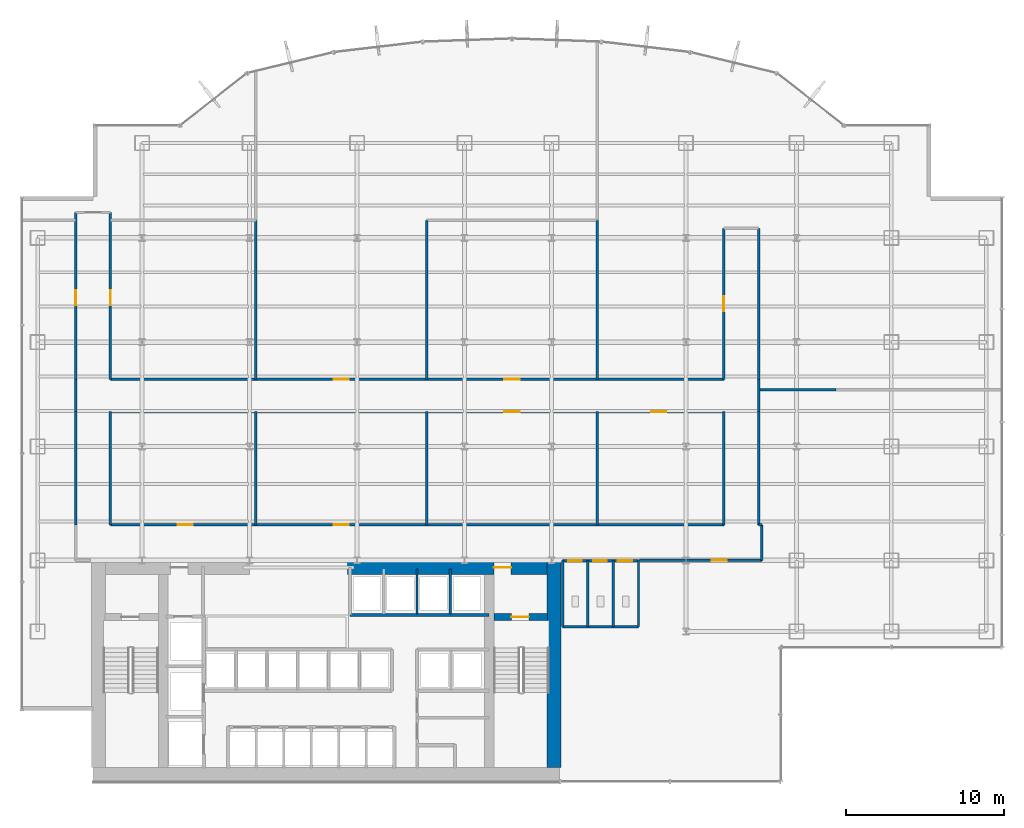
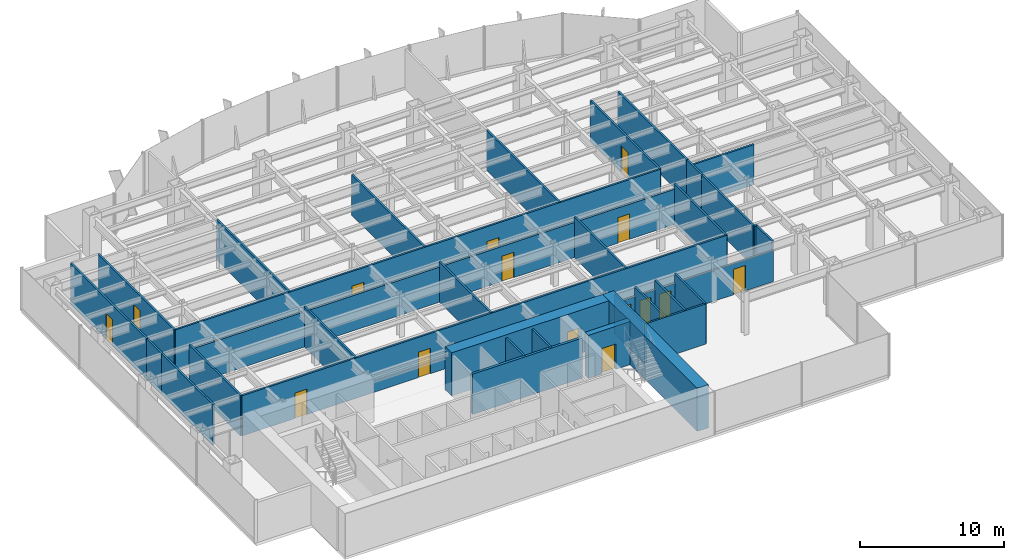
# One storey, part 18 of 22: 35 walls, 15 doors, 15 openings.
"""IFC4 building model written with IfcOpenShell, lengths in metres."""

from ifc_helpers import new_model, si_unit, derived_unit, direction, frame, frame_2d, origin, place, context, subcontext, project, spatial, rectangle, extrude, source, transform, mapped, material, layer, layer_set, type_object, element, fill, save


model = new_model("IFC4")

# Units and contexts
model_context = context("Model", 3, precision=1e-05, world=origin(), true_north=direction((0.0, 1.0)))
body_context = subcontext(model_context, "Body", "Model", "MODEL_VIEW")
ifc_project = project(units=[si_unit("LENGTHUNIT", "METRE"), si_unit("AREAUNIT", "SQUARE_METRE"), si_unit("VOLUMEUNIT", "CUBIC_METRE"), si_unit("PLANEANGLEUNIT", "RADIAN"), si_unit("MASSUNIT", "GRAM", prefix="KILO"), derived_unit("THERMALTRANSMITTANCEUNIT", [(si_unit("POWERUNIT", "WATT"), 1), (si_unit("LENGTHUNIT", "METRE"), -2), (si_unit("THERMODYNAMICTEMPERATUREUNIT", "KELVIN"), -1)])], contexts=[model_context])

# Site, building, storey
site_placement = place(None, origin())
site = spatial("IfcSite", under=ifc_project, at=site_placement, CompositionType="ELEMENT")
building_placement = place(site_placement, origin())
building = spatial("IfcBuilding", under=site, at=building_placement, Name="Skarnbrae Concourse Arena and Tower", CompositionType="ELEMENT")
storey_placement = place(building_placement, frame((0.0, 0.0, 69.0)))
storey = spatial("IfcBuildingStorey", under=building, at=storey_placement, Name="L16", CompositionType="ELEMENT", Elevation=69.0)

# Wall
ifc_material_1 = material(Name="Concrete 70 MPa (C70/85)", Category="concrete")
ifc_layer_1 = layer(ifc_material_1, 0.89990234375)
ifc_layer_set_1 = layer_set([ifc_layer_1], Name="Concrete 70 MPa (C70/85)")
wall_type_1 = type_object("IfcWallType", Name="WALL-CORE-900-C70", PredefinedType="SHEAR", material=ifc_layer_set_1)
shared_shape_1 = source(origin(), body_context, "Body", "SweptSolid", [
    extrude(rectangle(XDim=13.10009765625, YDim=0.89990234375, at=frame_2d((6.550048828125, 0.0))), origin(), (0.0, 0.0, 1.0), 3.64990234375),
])
wall_1_placement = place(storey_placement, frame((33.64990234375, 0.89990234375, 0.0), z_axis=(0.0, 0.0, 1.0), x_axis=(0.0, 1.0, 0.0)))
element("IfcWall", 1, at=wall_1_placement, inside=storey, type_object=wall_type_1, Name="L16 Rear core shear wall CW-E", PredefinedType="SHEAR", context=body_context, shape_type="MappedRepresentation", body=[
    mapped(shared_shape_1, transform((0.0, 0.0, 0.0))),
])

# Wall, opening, door
shared_shape_2 = source(origin(), body_context, "Body", "SweptSolid", [
    extrude(rectangle(XDim=12.599853515625, YDim=0.89990234375, at=frame_2d((6.2998046875, 0.0))), origin(), (0.0, 0.0, 1.0), 3.64990234375),
])
wall_2_placement = place(storey_placement, frame((20.60009765625, 13.550048828125, 0.0), z_axis=(0.0, 0.0, 1.0), x_axis=(1.0, 0.0, 0.0)))
wall_2 = element("IfcWall", 2, at=wall_2_placement, inside=storey, type_object=wall_type_1, Name="L16 Rear core shear wall CW-NE", PredefinedType="SHEAR", context=body_context, shape_type="MappedRepresentation", body=[
    mapped(shared_shape_2, transform((0.0, 0.0, 0.0))),
])
opening_1_placement = place(wall_2_placement, frame((9.25, 0.0, 0.0)))
opening_1 = element("IfcOpeningElement", 3, at=opening_1_placement, cuts=wall_2, Name="Opening DT-03", PredefinedType="OPENING", context=body_context, shape_type="SweptSolid", body=[
    extrude(rectangle(XDim=1.10009765625, YDim=2.14990234375, at=frame_2d((0.550048828125, 1.074951171875))), frame((0.0, 0.4599609375, 0.0), z_axis=(0.0, -1.0, 0.0), x_axis=(1.0, 0.0, 0.0)), (0.0, 0.0, 1.0), 0.919921875),
])
ifc_material_2 = material(Name="Steel CSA G40.21 350W", Category="steel")
door_type_1 = type_object("IfcDoorType", Name="DOOR-FIRE-1100-90M", OperationType="NOTDEFINED", PredefinedType="DOOR", material=ifc_material_2)
shared_shape_3 = source(origin(), body_context, "Body", "SweptSolid", [
    extrude(rectangle(XDim=1.10009765625, YDim=2.14990234375, at=frame_2d((0.550048828125, 1.074951171875))), frame((0.0, 0.02490234375, 0.0), z_axis=(0.0, -1.0, 0.0), x_axis=(1.0, 0.0, 0.0)), (0.0, 0.0, 1.0), 0.050048828125),
])
door_1_placement = place(opening_1_placement, origin())
door_1 = element("IfcDoor", 4, at=door_1_placement, inside=storey, type_object=door_type_1, Name="D-0605 Stair ST-2 Vestibule Door", OperationType="SINGLE_SWING_LEFT", OverallHeight=2.14990234375, OverallWidth=1.10009765625, PredefinedType="DOOR", context=body_context, shape_type="MappedRepresentation", body=[
    mapped(shared_shape_3, transform((0.0, 0.0, 0.0))),
])
fill(opening_1, door_1)

ifc_material_3 = material(Name="Concrete 50 MPa (C50/60)", Category="concrete")
ifc_layer_2 = layer(ifc_material_3, 0.449951171875)
ifc_layer_set_2 = layer_set([ifc_layer_2], Name="Concrete 50 MPa (C50/60)")
wall_type_2 = type_object("IfcWallType", Name="WALL-CORE-450-C50", PredefinedType="SHEAR", material=ifc_layer_set_2)
shared_shape_4 = source(origin(), body_context, "Body", "SweptSolid", [
    extrude(rectangle(XDim=3.389892578125, YDim=0.449951171875, at=frame_2d((1.69482421875, 0.0))), origin(), (0.0, 0.0, 1.0), 3.64990234375),
])
wall_3_placement = place(storey_placement, frame((29.860107421875, 10.419921875, 0.0), z_axis=(0.0, 0.0, 1.0), x_axis=(1.0, 0.0, 0.0)))
wall_3 = element("IfcWall", 5, at=wall_3_placement, inside=storey, type_object=wall_type_2, Name="L16 Rear core shear wall CW-ST2-N", PredefinedType="SHEAR", context=body_context, shape_type="MappedRepresentation", body=[
    mapped(shared_shape_4, transform((0.0, 0.0, 0.0))),
])
opening_2_placement = place(wall_3_placement, frame((1.10009765625, 0.0, 0.0)))
opening_2 = element("IfcOpeningElement", 6, at=opening_2_placement, cuts=wall_3, Name="Opening DT-03", PredefinedType="OPENING", context=body_context, shape_type="SweptSolid", body=[
    extrude(rectangle(XDim=1.10009765625, YDim=2.14990234375, at=frame_2d((0.550048828125, 1.074951171875))), frame((0.0, 0.23486328125, 0.0), z_axis=(0.0, -1.0, 0.0), x_axis=(1.0, 0.0, 0.0)), (0.0, 0.0, 1.0), 0.469970703125),
])
door_2_placement = place(opening_2_placement, frame((1.10009765625, 0.0, 0.0), z_axis=(0.0, 0.0, 1.0), x_axis=(-1.0, 0.0, 0.0)))
door_2 = element("IfcDoor", 7, at=door_2_placement, inside=storey, type_object=door_type_1, Name="D-0603 Stair ST-2 Door", OperationType="SINGLE_SWING_RIGHT", OverallHeight=2.14990234375, OverallWidth=1.10009765625, PredefinedType="DOOR", context=body_context, shape_type="MappedRepresentation", body=[
    mapped(shared_shape_3, transform((0.0, 0.0, 0.0))),
])
fill(opening_2, door_2)

# Walls
ifc_material_4 = material(Name="Gypsum board on cold-formed steel studs", Category="steel")
ifc_layer_3 = layer(ifc_material_4, 0.199951171875)
ifc_layer_set_3 = layer_set([ifc_layer_3], Name="Gypsum board on cold-formed steel studs")
wall_type_3 = type_object("IfcWallType", Name="WALL-PART-200-2HR", PredefinedType="PARTITIONING", material=ifc_layer_set_3)
shared_shape_5 = source(origin(), body_context, "Body", "SweptSolid", [
    extrude(rectangle(XDim=8.800048828125, YDim=0.199951171875, at=frame_2d((4.39990234375, 0.0))), origin(), (0.0, 0.0, 1.0), 3.39990234375),
])
wall_4_placement = place(storey_placement, frame((20.75, 10.550048828125, 0.0), z_axis=(0.0, 0.0, 1.0), x_axis=(1.0, 0.0, 0.0)))
element("IfcWall", 8, at=wall_4_placement, inside=storey, type_object=wall_type_3, Name="L16 Interior partition wall W-L16-B3N-S", PredefinedType="PARTITIONING", context=body_context, shape_type="MappedRepresentation", body=[
    mapped(shared_shape_5, transform((0.0, 0.0, 0.0))),
])
ifc_layer_4 = layer(ifc_material_4, 0.14990234375)
ifc_layer_set_4 = layer_set([ifc_layer_4], Name="Gypsum board on cold-formed steel studs")
wall_type_4 = type_object("IfcWallType", Name="WALL-PART-150", PredefinedType="PARTITIONING", material=ifc_layer_set_4)
shared_shape_6 = source(origin(), body_context, "Body", "SweptSolid", [
    extrude(rectangle(XDim=2.849853515625, YDim=0.14990234375, at=frame_2d((1.4248046875, 0.0))), origin(), (0.0, 0.0, 1.0), 3.39990234375),
])
for number, where, z_axis, x_axis, name in (
    (9, (24.989990234375, 10.60009765625, 0.0), (0.0, 0.0, 1.0), (0.0, 1.0, 0.0), "L16 Interior partition wall W-L16-B3N-P2"),
    (10, (27.090087890625, 10.60009765625, 0.0), (0.0, 0.0, 1.0), (0.0, 1.0, 0.0), "L16 Interior partition wall W-L16-B3N-P3"),
):
    element("IfcWall", number, at=place(storey_placement, frame(where, z_axis=z_axis, x_axis=x_axis)), inside=storey, type_object=wall_type_4, Name=name, PredefinedType="PARTITIONING", context=body_context, shape_type="MappedRepresentation", body=[
        mapped(shared_shape_6, transform((0.0, 0.0, 0.0))),
    ])
shared_shape_7 = source(origin(), body_context, "Body", "SweptSolid", [
    extrude(rectangle(XDim=4.89990234375, YDim=0.14990234375, at=frame_2d((2.449951171875, 0.0))), origin(), (0.0, 0.0, 1.0), 3.39990234375),
])
wall_5_placement = place(storey_placement, frame((51.5, 24.800048828125, 0.0), z_axis=(0.0, 0.0, 1.0), x_axis=(-1.0, 0.0, 0.0)))
element("IfcWall", 11, at=wall_5_placement, inside=storey, type_object=wall_type_4, Name="L16 Interior partition wall W-L16-DEM-33", PredefinedType="PARTITIONING", context=body_context, shape_type="MappedRepresentation", body=[
    mapped(shared_shape_7, transform((0.0, 0.0, 0.0))),
])

# Wall, openings, doors
shared_shape_8 = source(origin(), body_context, "Body", "SweptSolid", [
    extrude(rectangle(XDim=4.800048828125, YDim=0.14990234375, at=frame_2d((2.39990234375, 0.0))), origin(), (0.0, 0.0, 1.0), 2.625),
])
wall_6_placement = place(storey_placement, frame((34.199951171875, 13.97998046875, 0.0), z_axis=(0.0, 0.0, 1.0), x_axis=(1.0, 0.0, 0.0)))
wall_6 = element("IfcWall", 12, at=wall_6_placement, inside=storey, type_object=wall_type_4, Name="L16 Interior partition wall W-L16-WC-N", PredefinedType="PARTITIONING", context=body_context, shape_type="MappedRepresentation", body=[
    mapped(shared_shape_8, transform((0.0, 0.0, 0.0))),
])
opening_3_placement = place(wall_6_placement, frame((0.35009765625, 0.0, 0.0)))
opening_3 = element("IfcOpeningElement", 13, at=opening_3_placement, cuts=wall_6, Name="Opening DT-06", PredefinedType="OPENING", context=body_context, shape_type="SweptSolid", body=[
    extrude(rectangle(XDim=0.85009765625, YDim=2.10009765625, at=frame_2d((0.425048828125, 1.050048828125))), frame((0.0, 0.0849609375, 0.0), z_axis=(0.0, -1.0, 0.0), x_axis=(1.0, 0.0, 0.0)), (0.0, 0.0, 1.0), 0.169921875),
])
opening_4_placement = place(wall_6_placement, frame((1.949951171875, 0.0, 0.0)))
opening_4 = element("IfcOpeningElement", 14, at=opening_4_placement, cuts=wall_6, Name="Opening DT-06", PredefinedType="OPENING", context=body_context, shape_type="SweptSolid", body=[
    extrude(rectangle(XDim=0.85009765625, YDim=2.10009765625, at=frame_2d((0.425048828125, 1.050048828125))), frame((0.0, 0.0849609375, 0.0), z_axis=(0.0, -1.0, 0.0), x_axis=(1.0, 0.0, 0.0)), (0.0, 0.0, 1.0), 0.169921875),
])
opening_5_placement = place(wall_6_placement, frame((3.5, 0.0, 0.0)))
opening_5 = element("IfcOpeningElement", 15, at=opening_5_placement, cuts=wall_6, Name="Opening DT-05", PredefinedType="OPENING", context=body_context, shape_type="SweptSolid", body=[
    extrude(rectangle(XDim=0.89990234375, YDim=2.10009765625, at=frame_2d((0.449951171875, 1.050048828125))), frame((0.0, 0.0849609375, 0.0), z_axis=(0.0, -1.0, 0.0), x_axis=(1.0, 0.0, 0.0)), (0.0, 0.0, 1.0), 0.169921875),
])
ifc_material_5 = material(Name="Architectural oak veneer timber leaf", Category="wood")
door_type_2 = type_object("IfcDoorType", Name="DOOR-INT-850", OperationType="NOTDEFINED", PredefinedType="DOOR", material=ifc_material_5)
shared_shape_9 = source(origin(), body_context, "Body", "SweptSolid", [
    extrude(rectangle(XDim=0.85009765625, YDim=2.10009765625, at=frame_2d((0.425048828125, 1.050048828125))), frame((0.0, 0.02490234375, 0.0), z_axis=(0.0, -1.0, 0.0), x_axis=(1.0, 0.0, 0.0)), (0.0, 0.0, 1.0), 0.050048828125),
])
door_3_placement = place(opening_3_placement, frame((0.85009765625, 0.0, 0.0), z_axis=(0.0, 0.0, 1.0), x_axis=(-1.0, 0.0, 0.0)))
door_3 = element("IfcDoor", 16, at=door_3_placement, inside=storey, type_object=door_type_2, Name="D-0617 Male Washroom Door", OperationType="SINGLE_SWING_LEFT", OverallHeight=2.10009765625, OverallWidth=0.85009765625, PredefinedType="DOOR", context=body_context, shape_type="MappedRepresentation", body=[
    mapped(shared_shape_9, transform((0.0, 0.0, 0.0))),
])
fill(opening_3, door_3)
door_4_placement = place(opening_4_placement, frame((0.85009765625, 0.0, 0.0), z_axis=(0.0, 0.0, 1.0), x_axis=(-1.0, 0.0, 0.0)))
door_4 = element("IfcDoor", 17, at=door_4_placement, inside=storey, type_object=door_type_2, Name="D-0618 Female Washroom Door", OperationType="SINGLE_SWING_RIGHT", OverallHeight=2.10009765625, OverallWidth=0.85009765625, PredefinedType="DOOR", context=body_context, shape_type="MappedRepresentation", body=[
    mapped(shared_shape_9, transform((0.0, 0.0, 0.0))),
])
fill(opening_4, door_4)
door_type_3 = type_object("IfcDoorType", Name="DOOR-INT-900", OperationType="NOTDEFINED", PredefinedType="DOOR", material=ifc_material_5)
shared_shape_10 = source(origin(), body_context, "Body", "SweptSolid", [
    extrude(rectangle(XDim=0.89990234375, YDim=2.10009765625, at=frame_2d((0.449951171875, 1.050048828125))), frame((0.0, 0.02490234375, 0.0), z_axis=(0.0, -1.0, 0.0), x_axis=(1.0, 0.0, 0.0)), (0.0, 0.0, 1.0), 0.050048828125),
])
door_5_placement = place(opening_5_placement, frame((0.89990234375, 0.0, 0.0), z_axis=(0.0, 0.0, 1.0), x_axis=(-1.0, 0.0, 0.0)))
door_5 = element("IfcDoor", 18, at=door_5_placement, inside=storey, type_object=door_type_3, Name="D-0619 Accessible WC Door", OperationType="SINGLE_SWING_LEFT", OverallHeight=2.10009765625, OverallWidth=0.89990234375, PredefinedType="DOOR", context=body_context, shape_type="MappedRepresentation", body=[
    mapped(shared_shape_10, transform((0.0, 0.0, 0.0))),
])
fill(opening_5, door_5)

# Walls
shared_shape_11 = source(origin(), body_context, "Body", "SweptSolid", [
    extrude(rectangle(XDim=4.800048828125, YDim=0.14990234375, at=frame_2d((2.39990234375, 0.0))), origin(), (0.0, 0.0, 1.0), 3.39990234375),
])
wall_7_placement = place(storey_placement, frame((34.199951171875, 9.800048828125, 0.0), z_axis=(0.0, 0.0, 1.0), x_axis=(1.0, 0.0, 0.0)))
element("IfcWall", 19, at=wall_7_placement, inside=storey, type_object=wall_type_4, Name="L16 Interior partition wall W-L16-WC-S", PredefinedType="PARTITIONING", context=body_context, shape_type="MappedRepresentation", body=[
    mapped(shared_shape_11, transform((0.0, 0.0, 0.0))),
])
shared_shape_12 = source(origin(), body_context, "Body", "SweptSolid", [
    extrude(rectangle(XDim=4.179931640625, YDim=0.14990234375, at=frame_2d((2.08984375, 0.0))), origin(), (0.0, 0.0, 1.0), 3.39990234375),
])
for number, where, z_axis, x_axis, name in (
    (20, (39.0, 9.800048828125, 0.0), (0.0, 0.0, 1.0), (0.0, 1.0, 0.0), "L16 Interior partition wall W-L16-WC-E"),
    (21, (34.199951171875, 9.800048828125, 0.0), (0.0, 0.0, 1.0), (0.0, 1.0, 0.0), "L16 Interior partition wall W-L16-WC-W"),
    (22, (35.800048828125, 9.800048828125, 0.0), (0.0, 0.0, 1.0), (0.0, 1.0, 0.0), "L16 Interior partition wall W-L16-WC-D1"),
    (23, (37.39990234375, 9.800048828125, 0.0), (0.0, 0.0, 1.0), (0.0, 1.0, 0.0), "L16 Interior partition wall W-L16-WC-D2"),
):
    element("IfcWall", number, at=place(storey_placement, frame(where, z_axis=z_axis, x_axis=x_axis)), inside=storey, type_object=wall_type_4, Name=name, PredefinedType="PARTITIONING", context=body_context, shape_type="MappedRepresentation", body=[
        mapped(shared_shape_12, transform((0.0, 0.0, 0.0))),
    ])
ifc_layer_5 = layer(ifc_material_4, 0.14990234375)
ifc_layer_set_5 = layer_set([ifc_layer_5], Name="Gypsum board on cold-formed steel studs")
wall_type_5 = type_object("IfcWallType", Name="WALL-PART-150-1HR", PredefinedType="PARTITIONING", material=ifc_layer_set_5)
shared_shape_13 = source(origin(), body_context, "Body", "SweptSolid", [
    extrude(rectangle(XDim=2.25, YDim=0.14990234375, at=frame_2d((1.125, 0.0))), origin(), (0.0, 0.0, 1.0), 3.39990234375),
])
wall_8_placement = place(storey_placement, frame((46.800048828125, 16.25, 0.0), z_axis=(0.0, 0.0, 1.0), x_axis=(0.0, -1.0, 0.0)))
element("IfcWall", 24, at=wall_8_placement, inside=storey, type_object=wall_type_5, Name="L16 Interior partition wall W-L16-COR-15", PredefinedType="PARTITIONING", context=body_context, shape_type="MappedRepresentation", body=[
    mapped(shared_shape_13, transform((0.0, 0.0, 0.0))),
])
shared_shape_14 = source(origin(), body_context, "Body", "SweptSolid", [
    extrude(rectangle(XDim=7.14990234375, YDim=0.14990234375, at=frame_2d((3.574951171875, 0.0))), origin(), (0.0, 0.0, 1.0), 3.39990234375),
])
for number, where, z_axis, x_axis, name in (
    (25, (3.39990234375, 16.25, 0.0), (0.0, 0.0, 1.0), (0.0, 1.0, 0.0), "L16 Interior partition wall W-L16-COR-03"),
    (26, (46.60009765625, 23.39990234375, 0.0), (0.0, 0.0, 1.0), (0.0, -1.0, 0.0), "L16 Interior partition wall W-L16-COR-13"),
    (27, (44.39990234375, 16.25, 0.0), (0.0, 0.0, 1.0), (0.0, 1.0, 0.0), "L16 Interior partition wall W-L16-COR-18"),
    (28, (5.60009765625, 23.39990234375, 0.0), (0.0, 0.0, 1.0), (0.0, -1.0, 0.0), "L16 Interior partition wall W-L16-COR-20"),
):
    element("IfcWall", number, at=place(storey_placement, frame(where, z_axis=z_axis, x_axis=x_axis)), inside=storey, type_object=wall_type_5, Name=name, PredefinedType="PARTITIONING", context=body_context, shape_type="MappedRepresentation", body=[
        mapped(shared_shape_14, transform((0.0, 0.0, 0.0))),
    ])
for number, where, z_axis, x_axis, name in (
    (29, (14.800048828125, 23.39990234375, 0.0), (0.0, 0.0, 1.0), (0.0, -1.0, 0.0), "L16 Interior partition wall W-L16-DEM-23"),
    (30, (25.60009765625, 23.39990234375, 0.0), (0.0, 0.0, 1.0), (0.0, -1.0, 0.0), "L16 Interior partition wall W-L16-DEM-26"),
    (31, (36.39990234375, 23.39990234375, 0.0), (0.0, 0.0, 1.0), (0.0, -1.0, 0.0), "L16 Interior partition wall W-L16-DEM-29"),
):
    element("IfcWall", number, at=place(storey_placement, frame(where, z_axis=z_axis, x_axis=x_axis)), inside=storey, type_object=wall_type_4, Name=name, PredefinedType="PARTITIONING", context=body_context, shape_type="MappedRepresentation", body=[
        mapped(shared_shape_14, transform((0.0, 0.0, 0.0))),
    ])
shared_shape_15 = source(origin(), body_context, "Body", "SweptSolid", [
    extrude(rectangle(XDim=2.050048828125, YDim=0.14990234375, at=frame_2d((1.02490234375, 0.0))), origin(), (0.0, 0.0, 1.0), 3.39990234375),
])
for number, where, z_axis, x_axis, name in (
    (32, (3.39990234375, 23.39990234375, 0.0), (0.0, 0.0, 1.0), (0.0, 1.0, 0.0), "L16 Interior partition wall W-L16-COR-04"),
    (33, (46.60009765625, 25.449951171875, 0.0), (0.0, 0.0, 1.0), (0.0, -1.0, 0.0), "L16 Interior partition wall W-L16-COR-12"),
):
    element("IfcWall", number, at=place(storey_placement, frame(where, z_axis=z_axis, x_axis=x_axis)), inside=storey, type_object=wall_type_5, Name=name, PredefinedType="PARTITIONING", context=body_context, shape_type="MappedRepresentation", body=[
        mapped(shared_shape_15, transform((0.0, 0.0, 0.0))),
    ])

# Wall, opening, door
shared_shape_16 = source(origin(), body_context, "Body", "SweptSolid", [
    extrude(rectangle(XDim=10.550048828125, YDim=0.14990234375, at=frame_2d((5.27490234375, 0.0))), origin(), (0.0, 0.0, 1.0), 3.39990234375),
])
wall_9_placement = place(storey_placement, frame((3.39990234375, 25.449951171875, 0.0), z_axis=(0.0, 0.0, 1.0), x_axis=(0.0, 1.0, 0.0)))
wall_9 = element("IfcWall", 34, at=wall_9_placement, inside=storey, type_object=wall_type_5, Name="L16 Interior partition wall W-L16-COR-05", PredefinedType="PARTITIONING", context=body_context, shape_type="MappedRepresentation", body=[
    mapped(shared_shape_16, transform((0.0, 0.0, 0.0))),
])
opening_6_placement = place(wall_9_placement, frame((4.679931640625, 0.0, 0.0)))
opening_6 = element("IfcOpeningElement", 35, at=opening_6_placement, cuts=wall_9, Name="Opening DT-04", PredefinedType="OPENING", context=body_context, shape_type="SweptSolid", body=[
    extrude(rectangle(XDim=0.949951171875, YDim=2.14990234375, at=frame_2d((0.47509765625, 1.074951171875))), frame((0.0, 0.0849609375, 0.0), z_axis=(0.0, -1.0, 0.0), x_axis=(1.0, 0.0, 0.0)), (0.0, 0.0, 1.0), 0.169921875),
])
door_type_4 = type_object("IfcDoorType", Name="DOOR-INT-950-45M", OperationType="NOTDEFINED", PredefinedType="DOOR", material=ifc_material_2)
shared_shape_17 = source(origin(), body_context, "Body", "SweptSolid", [
    extrude(rectangle(XDim=0.949951171875, YDim=2.14990234375, at=frame_2d((0.47509765625, 1.074951171875))), frame((0.0, 0.02490234375, 0.0), z_axis=(0.0, -1.0, 0.0), x_axis=(1.0, 0.0, 0.0)), (0.0, 0.0, 1.0), 0.050048828125),
])
door_6_placement = place(opening_6_placement, origin())
door_6 = element("IfcDoor", 36, at=door_6_placement, inside=storey, type_object=door_type_4, Name="D-0620 L16 Suite Door 01", OperationType="SINGLE_SWING_RIGHT", OverallHeight=2.14990234375, OverallWidth=0.949951171875, PredefinedType="DOOR", context=body_context, shape_type="MappedRepresentation", body=[
    mapped(shared_shape_17, transform((0.0, 0.0, 0.0))),
])
fill(opening_6, door_6)

wall_10_placement = place(storey_placement, frame((5.60009765625, 36.0, 0.0), z_axis=(0.0, 0.0, 1.0), x_axis=(0.0, -1.0, 0.0)))
wall_10 = element("IfcWall", 37, at=wall_10_placement, inside=storey, type_object=wall_type_5, Name="L16 Interior partition wall W-L16-COR-07", PredefinedType="PARTITIONING", context=body_context, shape_type="MappedRepresentation", body=[
    mapped(shared_shape_16, transform((0.0, 0.0, 0.0))),
])
opening_7_placement = place(wall_10_placement, frame((4.919921875, 0.0, 0.0)))
opening_7 = element("IfcOpeningElement", 38, at=opening_7_placement, cuts=wall_10, Name="Opening DT-04", PredefinedType="OPENING", context=body_context, shape_type="SweptSolid", body=[
    extrude(rectangle(XDim=0.949951171875, YDim=2.14990234375, at=frame_2d((0.47509765625, 1.074951171875))), frame((0.0, 0.0849609375, 0.0), z_axis=(0.0, -1.0, 0.0), x_axis=(1.0, 0.0, 0.0)), (0.0, 0.0, 1.0), 0.169921875),
])
door_7_placement = place(opening_7_placement, origin())
door_7 = element("IfcDoor", 39, at=door_7_placement, inside=storey, type_object=door_type_4, Name="D-0623 L16 Suite Door 04", OperationType="SINGLE_SWING_LEFT", OverallHeight=2.14990234375, OverallWidth=0.949951171875, PredefinedType="DOOR", context=body_context, shape_type="MappedRepresentation", body=[
    mapped(shared_shape_17, transform((0.0, 0.0, 0.0))),
])
fill(opening_7, door_7)

# Wall, openings, doors
shared_shape_18 = source(origin(), body_context, "Body", "SweptSolid", [
    extrude(rectangle(XDim=38.7998046875, YDim=0.14990234375, at=frame_2d((19.39990234375, 0.0))), origin(), (0.0, 0.0, 1.0), 3.39990234375),
])
wall_11_placement = place(storey_placement, frame((5.60009765625, 25.449951171875, 0.0), z_axis=(0.0, 0.0, 1.0), x_axis=(1.0, 0.0, 0.0)))
wall_11 = element("IfcWall", 40, at=wall_11_placement, inside=storey, type_object=wall_type_5, Name="L16 Interior partition wall W-L16-COR-08", PredefinedType="PARTITIONING", context=body_context, shape_type="MappedRepresentation", body=[
    mapped(shared_shape_18, transform((0.0, 0.0, 0.0))),
])
opening_8_placement = place(wall_11_placement, frame((14.125, 0.0, 0.0)))
opening_8 = element("IfcOpeningElement", 41, at=opening_8_placement, cuts=wall_11, Name="Opening DT-04", PredefinedType="OPENING", context=body_context, shape_type="SweptSolid", body=[
    extrude(rectangle(XDim=0.949951171875, YDim=2.14990234375, at=frame_2d((0.47509765625, 1.074951171875))), frame((0.0, 0.0849609375, 0.0), z_axis=(0.0, -1.0, 0.0), x_axis=(1.0, 0.0, 0.0)), (0.0, 0.0, 1.0), 0.169921875),
])
opening_9_placement = place(wall_11_placement, frame((24.925048828125, 0.0, 0.0)))
opening_9 = element("IfcOpeningElement", 42, at=opening_9_placement, cuts=wall_11, Name="Opening DT-04", PredefinedType="OPENING", context=body_context, shape_type="SweptSolid", body=[
    extrude(rectangle(XDim=0.949951171875, YDim=2.14990234375, at=frame_2d((0.47509765625, 1.074951171875))), frame((0.0, 0.0849609375, 0.0), z_axis=(0.0, -1.0, 0.0), x_axis=(1.0, 0.0, 0.0)), (0.0, 0.0, 1.0), 0.169921875),
])
door_8_placement = place(opening_8_placement, origin())
door_8 = element("IfcDoor", 43, at=door_8_placement, inside=storey, type_object=door_type_4, Name="D-0625 L16 Suite Door 06", OperationType="SINGLE_SWING_LEFT", OverallHeight=2.14990234375, OverallWidth=0.949951171875, PredefinedType="DOOR", context=body_context, shape_type="MappedRepresentation", body=[
    mapped(shared_shape_17, transform((0.0, 0.0, 0.0))),
])
fill(opening_8, door_8)
door_9_placement = place(opening_9_placement, origin())
door_9 = element("IfcDoor", 44, at=door_9_placement, inside=storey, type_object=door_type_4, Name="D-0627 L16 Suite Door 08", OperationType="SINGLE_SWING_LEFT", OverallHeight=2.14990234375, OverallWidth=0.949951171875, PredefinedType="DOOR", context=body_context, shape_type="MappedRepresentation", body=[
    mapped(shared_shape_17, transform((0.0, 0.0, 0.0))),
])
fill(opening_9, door_9)

wall_12_placement = place(storey_placement, frame((5.60009765625, 16.25, 0.0), z_axis=(0.0, 0.0, 1.0), x_axis=(1.0, 0.0, 0.0)))
wall_12 = element("IfcWall", 45, at=wall_12_placement, inside=storey, type_object=wall_type_5, Name="L16 Interior partition wall W-L16-COR-17", PredefinedType="PARTITIONING", context=body_context, shape_type="MappedRepresentation", body=[
    mapped(shared_shape_18, transform((0.0, 0.0, 0.0))),
])
opening_10_placement = place(wall_12_placement, frame((4.2548828125, 0.0, 0.0)))
opening_10 = element("IfcOpeningElement", 46, at=opening_10_placement, cuts=wall_12, Name="Opening DT-04", PredefinedType="OPENING", context=body_context, shape_type="SweptSolid", body=[
    extrude(rectangle(XDim=0.949951171875, YDim=2.14990234375, at=frame_2d((0.47509765625, 1.074951171875))), frame((0.0, 0.0849609375, 0.0), z_axis=(0.0, -1.0, 0.0), x_axis=(1.0, 0.0, 0.0)), (0.0, 0.0, 1.0), 0.169921875),
])
opening_11_placement = place(wall_12_placement, frame((14.125, 0.0, 0.0)))
opening_11 = element("IfcOpeningElement", 47, at=opening_11_placement, cuts=wall_12, Name="Opening DT-04", PredefinedType="OPENING", context=body_context, shape_type="SweptSolid", body=[
    extrude(rectangle(XDim=0.949951171875, YDim=2.14990234375, at=frame_2d((0.47509765625, 1.074951171875))), frame((0.0, 0.0849609375, 0.0), z_axis=(0.0, -1.0, 0.0), x_axis=(1.0, 0.0, 0.0)), (0.0, 0.0, 1.0), 0.169921875),
])
door_10_placement = place(opening_10_placement, origin())
door_10 = element("IfcDoor", 48, at=door_10_placement, inside=storey, type_object=door_type_4, Name="D-0622 L16 Suite Door 03", OperationType="SINGLE_SWING_RIGHT", OverallHeight=2.14990234375, OverallWidth=0.949951171875, PredefinedType="DOOR", context=body_context, shape_type="MappedRepresentation", body=[
    mapped(shared_shape_17, transform((0.0, 0.0, 0.0))),
])
fill(opening_10, door_10)
door_11_placement = place(opening_11_placement, origin())
door_11 = element("IfcDoor", 49, at=door_11_placement, inside=storey, type_object=door_type_4, Name="D-0624 L16 Suite Door 05", OperationType="SINGLE_SWING_RIGHT", OverallHeight=2.14990234375, OverallWidth=0.949951171875, PredefinedType="DOOR", context=body_context, shape_type="MappedRepresentation", body=[
    mapped(shared_shape_17, transform((0.0, 0.0, 0.0))),
])
fill(opening_11, door_11)

# Wall, opening, door
shared_shape_19 = source(origin(), body_context, "Body", "SweptSolid", [
    extrude(rectangle(XDim=9.550048828125, YDim=0.14990234375, at=frame_2d((4.77490234375, 0.0))), origin(), (0.0, 0.0, 1.0), 3.39990234375),
])
wall_13_placement = place(storey_placement, frame((44.39990234375, 25.449951171875, 0.0), z_axis=(0.0, 0.0, 1.0), x_axis=(0.0, 1.0, 0.0)))
wall_13 = element("IfcWall", 50, at=wall_13_placement, inside=storey, type_object=wall_type_5, Name="L16 Interior partition wall W-L16-COR-09", PredefinedType="PARTITIONING", context=body_context, shape_type="MappedRepresentation", body=[
    mapped(shared_shape_19, transform((0.0, 0.0, 0.0))),
])
opening_12_placement = place(wall_13_placement, frame((4.300048828125, 0.0, 0.0)))
opening_12 = element("IfcOpeningElement", 51, at=opening_12_placement, cuts=wall_13, Name="Opening DT-04", PredefinedType="OPENING", context=body_context, shape_type="SweptSolid", body=[
    extrude(rectangle(XDim=0.949951171875, YDim=2.14990234375, at=frame_2d((0.47509765625, 1.074951171875))), frame((0.0, 0.0849609375, 0.0), z_axis=(0.0, -1.0, 0.0), x_axis=(1.0, 0.0, 0.0)), (0.0, 0.0, 1.0), 0.169921875),
])
door_12_placement = place(opening_12_placement, origin())
door_12 = element("IfcDoor", 52, at=door_12_placement, inside=storey, type_object=door_type_4, Name="D-0629 L16 Suite Door 10", OperationType="SINGLE_SWING_LEFT", OverallHeight=2.14990234375, OverallWidth=0.949951171875, PredefinedType="DOOR", context=body_context, shape_type="MappedRepresentation", body=[
    mapped(shared_shape_17, transform((0.0, 0.0, 0.0))),
])
fill(opening_12, door_12)

# Walls
wall_14_placement = place(storey_placement, frame((46.60009765625, 35.0, 0.0), z_axis=(0.0, 0.0, 1.0), x_axis=(0.0, -1.0, 0.0)))
element("IfcWall", 53, at=wall_14_placement, inside=storey, type_object=wall_type_5, Name="L16 Interior partition wall W-L16-COR-11", PredefinedType="PARTITIONING", context=body_context, shape_type="MappedRepresentation", body=[
    mapped(shared_shape_19, transform((0.0, 0.0, 0.0))),
])
shared_shape_20 = source(origin(), body_context, "Body", "SweptSolid", [
    extrude(rectangle(XDim=0.199951171875, YDim=0.14990234375, at=frame_2d((0.10009765625, 0.0))), origin(), (0.0, 0.0, 1.0), 3.39990234375),
])
wall_15_placement = place(storey_placement, frame((46.60009765625, 16.25, 0.0), z_axis=(0.0, 0.0, 1.0), x_axis=(1.0, 0.0, 0.0)))
element("IfcWall", 54, at=wall_15_placement, inside=storey, type_object=wall_type_5, Name="L16 Interior partition wall W-L16-COR-14", PredefinedType="PARTITIONING", context=body_context, shape_type="MappedRepresentation", body=[
    mapped(shared_shape_20, transform((0.0, 0.0, 0.0))),
])

# Wall, opening, door
shared_shape_21 = source(origin(), body_context, "Body", "SweptSolid", [
    extrude(rectangle(XDim=7.75, YDim=0.14990234375, at=frame_2d((3.875, 0.0))), origin(), (0.0, 0.0, 1.0), 2.625),
])
wall_16_placement = place(storey_placement, frame((46.800048828125, 14.0, 0.0), z_axis=(0.0, 0.0, 1.0), x_axis=(-1.0, 0.0, 0.0)))
wall_16 = element("IfcWall", 55, at=wall_16_placement, inside=storey, type_object=wall_type_5, Name="L16 Interior partition wall W-L16-COR-16", PredefinedType="PARTITIONING", context=body_context, shape_type="MappedRepresentation", body=[
    mapped(shared_shape_21, transform((0.0, 0.0, 0.0))),
])
opening_13_placement = place(wall_16_placement, frame((2.22607421875, 0.0, 0.0)))
opening_13 = element("IfcOpeningElement", 56, at=opening_13_placement, cuts=wall_16, Name="Opening DT-04", PredefinedType="OPENING", context=body_context, shape_type="SweptSolid", body=[
    extrude(rectangle(XDim=0.949951171875, YDim=2.14990234375, at=frame_2d((0.47509765625, 1.074951171875))), frame((0.0, 0.0849609375, 0.0), z_axis=(0.0, -1.0, 0.0), x_axis=(1.0, 0.0, 0.0)), (0.0, 0.0, 1.0), 0.169921875),
])
door_13_placement = place(opening_13_placement, origin())
door_13 = element("IfcDoor", 57, at=door_13_placement, inside=storey, type_object=door_type_4, Name="D-0630 L16 Suite Door 11", OperationType="SINGLE_SWING_RIGHT", OverallHeight=2.14990234375, OverallWidth=0.949951171875, PredefinedType="DOOR", context=body_context, shape_type="MappedRepresentation", body=[
    mapped(shared_shape_17, transform((0.0, 0.0, 0.0))),
])
fill(opening_13, door_13)

# Wall, openings, doors
shared_shape_22 = source(origin(), body_context, "Body", "SweptSolid", [
    extrude(rectangle(XDim=38.7998046875, YDim=0.14990234375, at=frame_2d((19.39990234375, 0.0))), origin(), (0.0, 0.0, 1.0), 2.97802734375),
])
wall_17_placement = place(storey_placement, frame((44.39990234375, 23.39990234375, 0.0), z_axis=(0.0, 0.0, 1.0), x_axis=(-1.0, 0.0, 0.0)))
wall_17 = element("IfcWall", 58, at=wall_17_placement, inside=storey, type_object=wall_type_5, Name="L16 Interior partition wall W-L16-COR-19", PredefinedType="PARTITIONING", context=body_context, shape_type="MappedRepresentation", body=[
    mapped(shared_shape_22, transform((0.0, 0.0, 0.0))),
])
opening_14_placement = place(wall_17_placement, frame((12.925048828125, 0.0, 0.0)))
opening_14 = element("IfcOpeningElement", 59, at=opening_14_placement, cuts=wall_17, Name="Opening DT-04", PredefinedType="OPENING", context=body_context, shape_type="SweptSolid", body=[
    extrude(rectangle(XDim=0.949951171875, YDim=2.14990234375, at=frame_2d((0.47509765625, 1.074951171875))), frame((0.0, 0.0849609375, 0.0), z_axis=(0.0, -1.0, 0.0), x_axis=(1.0, 0.0, 0.0)), (0.0, 0.0, 1.0), 0.169921875),
])
opening_15_placement = place(wall_17_placement, frame((3.655029296875, 0.0, 0.0)))
opening_15 = element("IfcOpeningElement", 60, at=opening_15_placement, cuts=wall_17, Name="Opening DT-04", PredefinedType="OPENING", context=body_context, shape_type="SweptSolid", body=[
    extrude(rectangle(XDim=0.949951171875, YDim=2.14990234375, at=frame_2d((0.47509765625, 1.074951171875))), frame((0.0, 0.0849609375, 0.0), z_axis=(0.0, -1.0, 0.0), x_axis=(1.0, 0.0, 0.0)), (0.0, 0.0, 1.0), 0.169921875),
])
door_14_placement = place(opening_14_placement, origin())
door_14 = element("IfcDoor", 61, at=door_14_placement, inside=storey, type_object=door_type_4, Name="D-0626 L16 Suite Door 07", OperationType="SINGLE_SWING_RIGHT", OverallHeight=2.14990234375, OverallWidth=0.949951171875, PredefinedType="DOOR", context=body_context, shape_type="MappedRepresentation", body=[
    mapped(shared_shape_17, transform((0.0, 0.0, 0.0))),
])
fill(opening_14, door_14)
door_15_placement = place(opening_15_placement, origin())
door_15 = element("IfcDoor", 62, at=door_15_placement, inside=storey, type_object=door_type_4, Name="D-0628 L16 Suite Door 09", OperationType="SINGLE_SWING_RIGHT", OverallHeight=2.14990234375, OverallWidth=0.949951171875, PredefinedType="DOOR", context=body_context, shape_type="MappedRepresentation", body=[
    mapped(shared_shape_17, transform((0.0, 0.0, 0.0))),
])
fill(opening_15, door_15)

# Walls
shared_shape_23 = source(origin(), body_context, "Body", "SweptSolid", [
    extrude(rectangle(XDim=10.050048828125, YDim=0.14990234375, at=frame_2d((5.02490234375, 0.0))), origin(), (0.0, 0.0, 1.0), 3.39990234375),
])
for number, where, z_axis, x_axis, name in (
    (63, (14.800048828125, 35.5, 0.0), (0.0, 0.0, 1.0), (0.0, -1.0, 0.0), "L16 Interior partition wall W-L16-DEM-24"),
    (64, (25.60009765625, 35.5, 0.0), (0.0, 0.0, 1.0), (0.0, -1.0, 0.0), "L16 Interior partition wall W-L16-DEM-28"),
    (65, (36.39990234375, 35.5, 0.0), (0.0, 0.0, 1.0), (0.0, -1.0, 0.0), "L16 Interior partition wall W-L16-DEM-30"),
):
    element("IfcWall", number, at=place(storey_placement, frame(where, z_axis=z_axis, x_axis=x_axis)), inside=storey, type_object=wall_type_4, Name=name, PredefinedType="PARTITIONING", context=body_context, shape_type="MappedRepresentation", body=[
        mapped(shared_shape_23, transform((0.0, 0.0, 0.0))),
    ])

save(model, "model.ifc")
